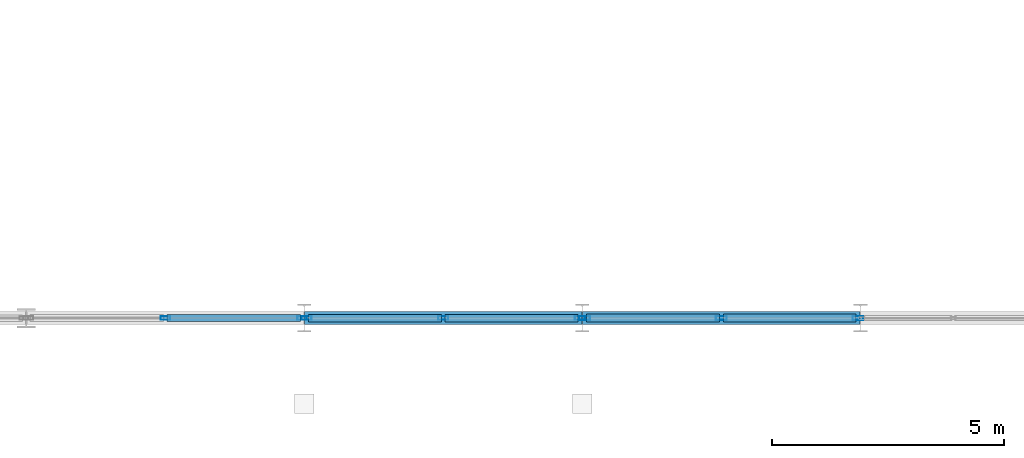
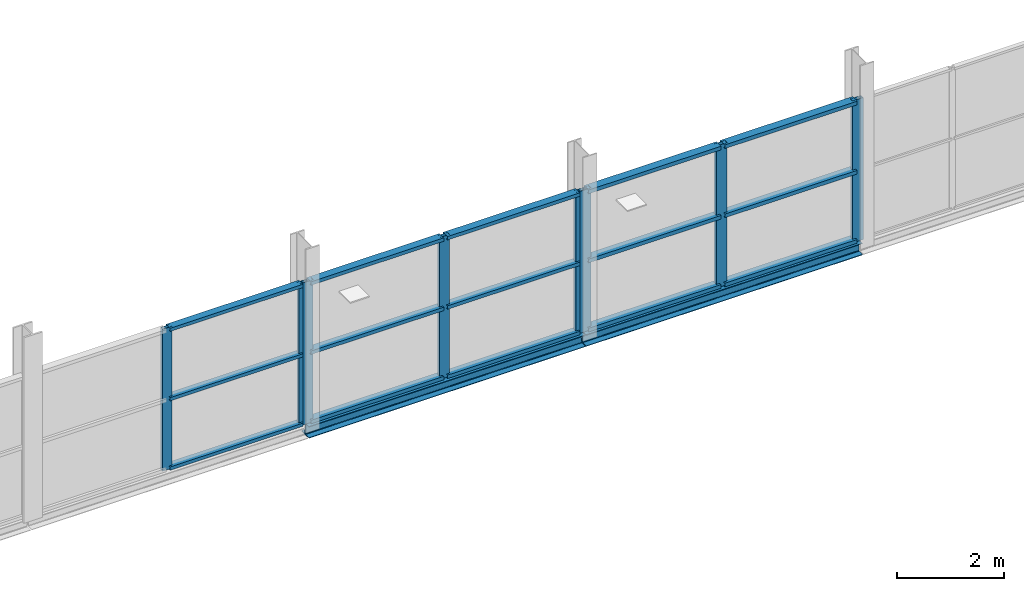
# One storey, part 30 of 135: 23 members, 2 beams, 3 elements without a shape of their own.
"""IFC4 building model written with IfcOpenShell, lengths in metres."""

from ifc_helpers import new_model, si_unit, direction, frame, origin, origin_2d, place, context, subcontext, project, spatial, hollow_rectangle, i_section, extrude, material, layer, layer_set, material_profile, profile_set, type_object, element, aggregate, save


model = new_model("IFC4")

# Units and contexts
model_context = context("Model", 3, precision=1e-05, world=origin(), true_north=direction((0.0, 1.0)))
body_context = subcontext(model_context, "Body", "Model", "MODEL_VIEW")
ifc_project = project(units=[si_unit("LENGTHUNIT", "METRE"), si_unit("AREAUNIT", "SQUARE_METRE"), si_unit("VOLUMEUNIT", "CUBIC_METRE"), si_unit("PLANEANGLEUNIT", "RADIAN"), si_unit("MASSUNIT", "GRAM", prefix="KILO")], contexts=[model_context])

# Site, building, storey
site_placement = place(None, origin())
site = spatial("IfcSite", under=ifc_project, at=site_placement, CompositionType="ELEMENT")
building_placement = place(site_placement, origin())
building = spatial("IfcBuilding", under=site, at=building_placement, Name="Deido Ridge Mobility Hub", CompositionType="ELEMENT")
storey_placement = place(building_placement, frame((0.0, 0.0, 4.199951171875)))
storey = spatial("IfcBuildingStorey", under=building, at=storey_placement, Name="L01", CompositionType="ELEMENT", Elevation=4.199951171875)

# Curtain wall, members
ifc_material_1 = material(Name="Anodised aluminium EN AW-6063 T6", Category="aluminium")
ifc_layer_1 = layer(ifc_material_1, 0.239990234375, Name="Anodised aluminium EN AW-6063 T6")
ifc_layer_set_1 = layer_set([ifc_layer_1], Name="Anodised aluminium EN AW-6063 T6")
curtain_wall_type_1 = type_object("IfcCurtainWallType", Name="CW-UF-6", PredefinedType="USERDEFINED", material=ifc_layer_set_1)
curtain_wall_1_placement = place(storey_placement, origin())
curtain_wall_1 = element("IfcCurtainWall", 1, at=curtain_wall_1_placement, inside=storey, type_object=curtain_wall_type_1, Name="Unitised curtain wall CW6", ObjectType="UNITISED FACADE", PredefinedType="USERDEFINED")
ifc_material_profile_1 = material_profile(ifc_material_1, hollow_rectangle(XDim=0.074951171875, YDim=0.205078125, WallThickness=0.00390625, at=origin_2d()), Name="RHS 75x205x4")
ifc_profile_set_1 = profile_set([ifc_material_profile_1], Name="Anodised aluminium EN AW-6063 T6")
member_type_1 = type_object("IfcMemberType", Name="MEM-MUL-75X205", PredefinedType="MULLION", material=ifc_profile_set_1)
member_1_placement = place(storey_placement, frame((33.002197265625, 0.0, 0.0), z_axis=(0.0, 0.0, 1.0), x_axis=(0.0, 1.0, 0.0)))
member_1 = element("IfcMember", 2, at=member_1_placement, type_object=member_type_1, Name="CW6 mullion 2", PredefinedType="MULLION", context=body_context, shape_type="SweptSolid", body=[
    extrude(hollow_rectangle(XDim=0.074951171875, YDim=0.205078125, WallThickness=0.00390625, at=origin_2d()), origin(), (0.0, 0.0, 1.0), 3.25),
])
member_2_placement = place(storey_placement, frame((35.95458984375, 0.0, 0.0), z_axis=(0.0, 0.0, 1.0), x_axis=(0.0, 1.0, 0.0)))
member_2 = element("IfcMember", 3, at=member_2_placement, type_object=member_type_1, Name="CW6 mullion 3", PredefinedType="MULLION", context=body_context, shape_type="SweptSolid", body=[
    extrude(hollow_rectangle(XDim=0.074951171875, YDim=0.205078125, WallThickness=0.00390625, at=origin_2d()), origin(), (0.0, 0.0, 1.0), 3.25),
])

ifc_layer_2 = layer(ifc_material_1, 0.2548828125, Name="Anodised aluminium EN AW-6063 T6")
ifc_layer_set_2 = layer_set([ifc_layer_2], Name="Anodised aluminium EN AW-6063 T6")
curtain_wall_type_2 = type_object("IfcCurtainWallType", Name="CW-UF-7", PredefinedType="USERDEFINED", material=ifc_layer_set_2)
curtain_wall_2_placement = place(storey_placement, origin())
curtain_wall_2 = element("IfcCurtainWall", 4, at=curtain_wall_2_placement, inside=storey, type_object=curtain_wall_type_2, Name="Unitised curtain wall CW7", ObjectType="UNITISED FACADE", PredefinedType="USERDEFINED")
ifc_material_profile_2 = material_profile(ifc_material_1, hollow_rectangle(XDim=0.080078125, YDim=0.219970703125, WallThickness=0.00390625, at=origin_2d()), Name="RHS 80x220x4")
ifc_profile_set_2 = profile_set([ifc_material_profile_2], Name="Anodised aluminium EN AW-6063 T6")
member_type_2 = type_object("IfcMemberType", Name="MEM-MUL-80X220", PredefinedType="MULLION", material=ifc_profile_set_2)
member_3_placement = place(storey_placement, frame((36.0478515625, 0.0, 0.0), z_axis=(0.0, 0.0, 1.0), x_axis=(0.0, 1.0, 0.0)))
member_3 = element("IfcMember", 5, at=member_3_placement, type_object=member_type_2, Name="CW7 mullion 1", PredefinedType="MULLION", context=body_context, shape_type="SweptSolid", body=[
    extrude(hollow_rectangle(XDim=0.080078125, YDim=0.219970703125, WallThickness=0.00390625, at=origin_2d()), origin(), (0.0, 0.0, 1.0), 3.25),
])
member_4_placement = place(storey_placement, frame((39.0, 0.0, 0.0), z_axis=(0.0, 0.0, 1.0), x_axis=(0.0, 1.0, 0.0)))
member_4 = element("IfcMember", 6, at=member_4_placement, type_object=member_type_2, Name="CW7 mullion 2", PredefinedType="MULLION", context=body_context, shape_type="SweptSolid", body=[
    extrude(hollow_rectangle(XDim=0.080078125, YDim=0.219970703125, WallThickness=0.00390625, at=origin_2d()), origin(), (0.0, 0.0, 1.0), 3.25),
])
member_5_placement = place(storey_placement, frame((41.9521484375, 0.0, 0.0), z_axis=(0.0, 0.0, 1.0), x_axis=(0.0, 1.0, 0.0)))
member_5 = element("IfcMember", 7, at=member_5_placement, type_object=member_type_2, Name="CW7 mullion 3", PredefinedType="MULLION", context=body_context, shape_type="SweptSolid", body=[
    extrude(hollow_rectangle(XDim=0.080078125, YDim=0.219970703125, WallThickness=0.00390625, at=origin_2d()), origin(), (0.0, 0.0, 1.0), 3.25),
])

ifc_layer_3 = layer(ifc_material_1, 0.27001953125, Name="Anodised aluminium EN AW-6063 T6")
ifc_layer_set_3 = layer_set([ifc_layer_3], Name="Anodised aluminium EN AW-6063 T6")
curtain_wall_type_3 = type_object("IfcCurtainWallType", Name="CW-UF-8", PredefinedType="USERDEFINED", material=ifc_layer_set_3)
curtain_wall_3_placement = place(storey_placement, origin())
curtain_wall_3 = element("IfcCurtainWall", 8, at=curtain_wall_3_placement, inside=storey, type_object=curtain_wall_type_3, Name="Unitised curtain wall CW8", ObjectType="UNITISED FACADE", PredefinedType="USERDEFINED")
ifc_material_profile_3 = material_profile(ifc_material_1, hollow_rectangle(XDim=0.0849609375, YDim=0.235107421875, WallThickness=0.00390625, at=origin_2d()), Name="RHS 85x235x4")
ifc_profile_set_3 = profile_set([ifc_material_profile_3], Name="Anodised aluminium EN AW-6063 T6")
member_type_3 = type_object("IfcMemberType", Name="MEM-MUL-85X235", PredefinedType="MULLION", material=ifc_profile_set_3)
member_6_placement = place(storey_placement, frame((42.05029296875, 0.0, 0.0), z_axis=(0.0, 0.0, 1.0), x_axis=(0.0, 1.0, 0.0)))
member_6 = element("IfcMember", 9, at=member_6_placement, type_object=member_type_3, Name="CW8 mullion 1", PredefinedType="MULLION", context=body_context, shape_type="SweptSolid", body=[
    extrude(hollow_rectangle(XDim=0.0849609375, YDim=0.235107421875, WallThickness=0.00390625, at=origin_2d()), origin(), (0.0, 0.0, 1.0), 3.25),
])
member_7_placement = place(storey_placement, frame((45.0, 0.0, 0.0), z_axis=(0.0, 0.0, 1.0), x_axis=(0.0, 1.0, 0.0)))
member_7 = element("IfcMember", 10, at=member_7_placement, type_object=member_type_3, Name="CW8 mullion 2", PredefinedType="MULLION", context=body_context, shape_type="SweptSolid", body=[
    extrude(hollow_rectangle(XDim=0.0849609375, YDim=0.235107421875, WallThickness=0.00390625, at=origin_2d()), origin(), (0.0, 0.0, 1.0), 3.25),
])
member_8_placement = place(storey_placement, frame((47.94970703125, 0.0, 0.0), z_axis=(0.0, 0.0, 1.0), x_axis=(0.0, 1.0, 0.0)))
member_8 = element("IfcMember", 11, at=member_8_placement, type_object=member_type_3, Name="CW8 mullion 3", PredefinedType="MULLION", context=body_context, shape_type="SweptSolid", body=[
    extrude(hollow_rectangle(XDim=0.0849609375, YDim=0.235107421875, WallThickness=0.00390625, at=origin_2d()), origin(), (0.0, 0.0, 1.0), 3.25),
])

# Member
ifc_material_profile_4 = material_profile(ifc_material_1, hollow_rectangle(XDim=0.155029296875, YDim=0.074951171875, WallThickness=0.00390625, at=origin_2d()), Name="RHS 155x75x4")
ifc_profile_set_4 = profile_set([ifc_material_profile_4], Name="Anodised aluminium EN AW-6063 T6")
member_type_4 = type_object("IfcMemberType", Name="MEM-TRN-155X75", PredefinedType="USERDEFINED", material=ifc_profile_set_4)
member_9_placement = place(storey_placement, frame((33.03955078125, 0.0, 0.03759765625), z_axis=(1.0, 0.0, 0.0), x_axis=(0.0, 1.0, 0.0)))
member_9 = element("IfcMember", 12, at=member_9_placement, type_object=member_type_4, Name="CW6 transom 2.1", ObjectType="TRANSOM", PredefinedType="USERDEFINED", context=body_context, shape_type="SweptSolid", body=[
    extrude(hollow_rectangle(XDim=0.155029296875, YDim=0.074951171875, WallThickness=0.00390625, at=origin_2d()), origin(), (0.0, 0.0, 1.0), 2.877685546875),
])

member_10_placement = place(storey_placement, frame((33.03955078125, 0.0, 1.625), z_axis=(1.0, 0.0, 0.0), x_axis=(0.0, 1.0, 0.0)))
member_10 = element("IfcMember", 13, at=member_10_placement, type_object=member_type_4, Name="CW6 transom 2.2", ObjectType="TRANSOM", PredefinedType="USERDEFINED", context=body_context, shape_type="SweptSolid", body=[
    extrude(hollow_rectangle(XDim=0.155029296875, YDim=0.074951171875, WallThickness=0.00390625, at=origin_2d()), origin(), (0.0, 0.0, 1.0), 2.877685546875),
])

member_11_placement = place(storey_placement, frame((33.03955078125, 0.0, 3.212646484375), z_axis=(1.0, 0.0, 0.0), x_axis=(0.0, 1.0, 0.0)))
member_11 = element("IfcMember", 14, at=member_11_placement, type_object=member_type_4, Name="CW6 transom 2.3", ObjectType="TRANSOM", PredefinedType="USERDEFINED", context=body_context, shape_type="SweptSolid", body=[
    extrude(hollow_rectangle(XDim=0.155029296875, YDim=0.074951171875, WallThickness=0.00390625, at=origin_2d()), origin(), (0.0, 0.0, 1.0), 2.877685546875),
])

aggregate(curtain_wall_1, [member_1, member_2, member_9, member_10, member_11])

ifc_material_profile_5 = material_profile(ifc_material_1, hollow_rectangle(XDim=0.1650390625, YDim=0.080078125, WallThickness=0.00390625, at=origin_2d()), Name="RHS 165x80x4")
ifc_profile_set_5 = profile_set([ifc_material_profile_5], Name="Anodised aluminium EN AW-6063 T6")
member_type_5 = type_object("IfcMemberType", Name="MEM-TRN-165X80", PredefinedType="USERDEFINED", material=ifc_profile_set_5)
member_12_placement = place(storey_placement, frame((36.087890625, 0.0, 0.0400390625), z_axis=(1.0, 0.0, 0.0), x_axis=(0.0, 1.0, 0.0)))
member_12 = element("IfcMember", 15, at=member_12_placement, type_object=member_type_5, Name="CW7 transom 1.1", ObjectType="TRANSOM", PredefinedType="USERDEFINED", context=body_context, shape_type="SweptSolid", body=[
    extrude(hollow_rectangle(XDim=0.1650390625, YDim=0.080078125, WallThickness=0.00390625, at=origin_2d()), origin(), (0.0, 0.0, 1.0), 2.8720703125),
])

member_13_placement = place(storey_placement, frame((36.087890625, 0.0, 1.625), z_axis=(1.0, 0.0, 0.0), x_axis=(0.0, 1.0, 0.0)))
member_13 = element("IfcMember", 16, at=member_13_placement, type_object=member_type_5, Name="CW7 transom 1.2", ObjectType="TRANSOM", PredefinedType="USERDEFINED", context=body_context, shape_type="SweptSolid", body=[
    extrude(hollow_rectangle(XDim=0.1650390625, YDim=0.080078125, WallThickness=0.00390625, at=origin_2d()), origin(), (0.0, 0.0, 1.0), 2.8720703125),
])

member_14_placement = place(storey_placement, frame((36.087890625, 0.0, 3.2099609375), z_axis=(1.0, 0.0, 0.0), x_axis=(0.0, 1.0, 0.0)))
member_14 = element("IfcMember", 17, at=member_14_placement, type_object=member_type_5, Name="CW7 transom 1.3", ObjectType="TRANSOM", PredefinedType="USERDEFINED", context=body_context, shape_type="SweptSolid", body=[
    extrude(hollow_rectangle(XDim=0.1650390625, YDim=0.080078125, WallThickness=0.00390625, at=origin_2d()), origin(), (0.0, 0.0, 1.0), 2.8720703125),
])

member_15_placement = place(storey_placement, frame((39.0400390625, 0.0, 0.0400390625), z_axis=(1.0, 0.0, 0.0), x_axis=(0.0, 1.0, 0.0)))
member_15 = element("IfcMember", 18, at=member_15_placement, type_object=member_type_5, Name="CW7 transom 2.1", ObjectType="TRANSOM", PredefinedType="USERDEFINED", context=body_context, shape_type="SweptSolid", body=[
    extrude(hollow_rectangle(XDim=0.1650390625, YDim=0.080078125, WallThickness=0.00390625, at=origin_2d()), origin(), (0.0, 0.0, 1.0), 2.8720703125),
])

member_16_placement = place(storey_placement, frame((39.0400390625, 0.0, 1.625), z_axis=(1.0, 0.0, 0.0), x_axis=(0.0, 1.0, 0.0)))
member_16 = element("IfcMember", 19, at=member_16_placement, type_object=member_type_5, Name="CW7 transom 2.2", ObjectType="TRANSOM", PredefinedType="USERDEFINED", context=body_context, shape_type="SweptSolid", body=[
    extrude(hollow_rectangle(XDim=0.1650390625, YDim=0.080078125, WallThickness=0.00390625, at=origin_2d()), origin(), (0.0, 0.0, 1.0), 2.8720703125),
])

member_17_placement = place(storey_placement, frame((39.0400390625, 0.0, 3.2099609375), z_axis=(1.0, 0.0, 0.0), x_axis=(0.0, 1.0, 0.0)))
member_17 = element("IfcMember", 20, at=member_17_placement, type_object=member_type_5, Name="CW7 transom 2.3", ObjectType="TRANSOM", PredefinedType="USERDEFINED", context=body_context, shape_type="SweptSolid", body=[
    extrude(hollow_rectangle(XDim=0.1650390625, YDim=0.080078125, WallThickness=0.00390625, at=origin_2d()), origin(), (0.0, 0.0, 1.0), 2.8720703125),
])

aggregate(curtain_wall_2, [member_3, member_4, member_5, member_12, member_13, member_14, member_15, member_16, member_17])

ifc_material_profile_6 = material_profile(ifc_material_1, hollow_rectangle(XDim=0.175048828125, YDim=0.0849609375, WallThickness=0.00390625, at=origin_2d()), Name="RHS 175x85x4")
ifc_profile_set_6 = profile_set([ifc_material_profile_6], Name="Anodised aluminium EN AW-6063 T6")
member_type_6 = type_object("IfcMemberType", Name="MEM-TRN-175X85", PredefinedType="USERDEFINED", material=ifc_profile_set_6)
member_18_placement = place(storey_placement, frame((42.0927734375, 0.0, 0.04248046875), z_axis=(1.0, 0.0, 0.0), x_axis=(0.0, 1.0, 0.0)))
member_18 = element("IfcMember", 21, at=member_18_placement, type_object=member_type_6, Name="CW8 transom 1.1", ObjectType="TRANSOM", PredefinedType="USERDEFINED", context=body_context, shape_type="SweptSolid", body=[
    extrude(hollow_rectangle(XDim=0.175048828125, YDim=0.0849609375, WallThickness=0.00390625, at=origin_2d()), origin(), (0.0, 0.0, 1.0), 2.86474609375),
])

member_19_placement = place(storey_placement, frame((42.0927734375, 0.0, 1.625), z_axis=(1.0, 0.0, 0.0), x_axis=(0.0, 1.0, 0.0)))
member_19 = element("IfcMember", 22, at=member_19_placement, type_object=member_type_6, Name="CW8 transom 1.2", ObjectType="TRANSOM", PredefinedType="USERDEFINED", context=body_context, shape_type="SweptSolid", body=[
    extrude(hollow_rectangle(XDim=0.175048828125, YDim=0.0849609375, WallThickness=0.00390625, at=origin_2d()), origin(), (0.0, 0.0, 1.0), 2.86474609375),
])

member_20_placement = place(storey_placement, frame((42.0927734375, 0.0, 3.20751953125), z_axis=(1.0, 0.0, 0.0), x_axis=(0.0, 1.0, 0.0)))
member_20 = element("IfcMember", 23, at=member_20_placement, type_object=member_type_6, Name="CW8 transom 1.3", ObjectType="TRANSOM", PredefinedType="USERDEFINED", context=body_context, shape_type="SweptSolid", body=[
    extrude(hollow_rectangle(XDim=0.175048828125, YDim=0.0849609375, WallThickness=0.00390625, at=origin_2d()), origin(), (0.0, 0.0, 1.0), 2.86474609375),
])

member_21_placement = place(storey_placement, frame((45.04248046875, 0.0, 0.04248046875), z_axis=(1.0, 0.0, 0.0), x_axis=(0.0, 1.0, 0.0)))
member_21 = element("IfcMember", 24, at=member_21_placement, type_object=member_type_6, Name="CW8 transom 2.1", ObjectType="TRANSOM", PredefinedType="USERDEFINED", context=body_context, shape_type="SweptSolid", body=[
    extrude(hollow_rectangle(XDim=0.175048828125, YDim=0.0849609375, WallThickness=0.00390625, at=origin_2d()), origin(), (0.0, 0.0, 1.0), 2.86474609375),
])

member_22_placement = place(storey_placement, frame((45.04248046875, 0.0, 1.625), z_axis=(1.0, 0.0, 0.0), x_axis=(0.0, 1.0, 0.0)))
member_22 = element("IfcMember", 25, at=member_22_placement, type_object=member_type_6, Name="CW8 transom 2.2", ObjectType="TRANSOM", PredefinedType="USERDEFINED", context=body_context, shape_type="SweptSolid", body=[
    extrude(hollow_rectangle(XDim=0.175048828125, YDim=0.0849609375, WallThickness=0.00390625, at=origin_2d()), origin(), (0.0, 0.0, 1.0), 2.86474609375),
])

member_23_placement = place(storey_placement, frame((45.04248046875, 0.0, 3.20751953125), z_axis=(1.0, 0.0, 0.0), x_axis=(0.0, 1.0, 0.0)))
member_23 = element("IfcMember", 26, at=member_23_placement, type_object=member_type_6, Name="CW8 transom 2.3", ObjectType="TRANSOM", PredefinedType="USERDEFINED", context=body_context, shape_type="SweptSolid", body=[
    extrude(hollow_rectangle(XDim=0.175048828125, YDim=0.0849609375, WallThickness=0.00390625, at=origin_2d()), origin(), (0.0, 0.0, 1.0), 2.86474609375),
])

aggregate(curtain_wall_3, [member_6, member_7, member_8, member_18, member_19, member_20, member_21, member_22, member_23])

# Beams
ifc_material_2 = material(Name="Steel S355J2 EN 10025-2", Category="steel")
ifc_material_profile_7 = material_profile(ifc_material_2, i_section(OverallWidth=0.280029296875, OverallDepth=0.27001953125, WebThickness=0.008056640625, FlangeThickness=0.012939453125, FilletRadius=0.02392578125, at=origin_2d()), Name="HEA 280")
ifc_profile_set_7 = profile_set([ifc_material_profile_7], Name="Steel S355J2 EN 10025-2")
beam_type = type_object("IfcBeamType", Name="SPD-HEA280", PredefinedType="SPANDREL", material=ifc_profile_set_7)
for number, where, z_axis, x_axis, name in (
    (27, (36.0078125, 0.0, -0.135009765625), (1.0, 0.0, 0.0), (0.0, 1.0, 0.0), "Concourse perimeter wind girt SP2"),
    (28, (42.0078125, 0.0, -0.135009765625), (1.0, 0.0, 0.0), (0.0, 1.0, 0.0), "Concourse perimeter wind girt SP2"),
):
    element("IfcBeam", number, at=place(storey_placement, frame(where, z_axis=z_axis, x_axis=x_axis)), inside=storey, type_object=beam_type, Name=name, PredefinedType="SPANDREL", context=body_context, shape_type="SweptSolid", body=[
        extrude(i_section(OverallWidth=0.280029296875, OverallDepth=0.27001953125, WebThickness=0.008056640625, FlangeThickness=0.012939453125, FilletRadius=0.02392578125, at=origin_2d()), origin(), (0.0, 0.0, 1.0), 5.984375),
    ])

save(model, "model.ifc")
